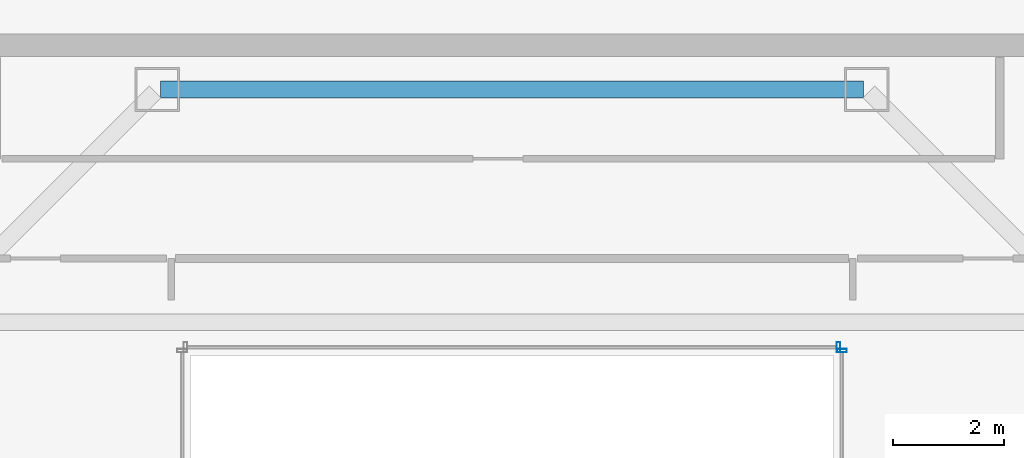
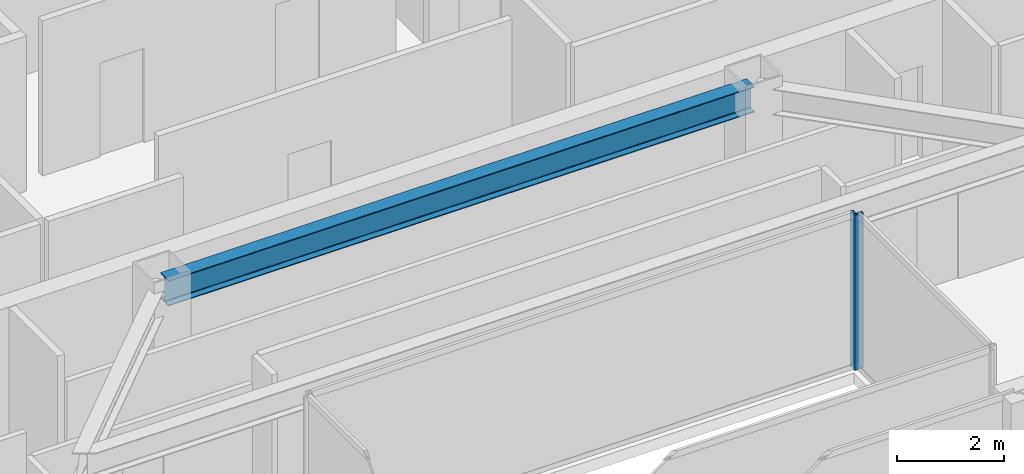
# One storey, part 11 of 32: 2 members, 1 beam, 2 elements without a shape of their own.
"""IFC4 building model written with IfcOpenShell, lengths in metres."""

from ifc_helpers import new_model, si_unit, direction, frame, origin, origin_2d, place, context, subcontext, project, spatial, hollow_rectangle, i_section, extrude, material, material_profile, profile_set, type_object, element, aggregate, save


model = new_model("IFC4")

# Units and contexts
model_context = context("Model", 3, precision=1e-05, world=origin(), true_north=direction((0.0, 1.0)))
body_context = subcontext(model_context, "Body", "Model", "MODEL_VIEW")
ifc_project = project(units=[si_unit("LENGTHUNIT", "METRE"), si_unit("AREAUNIT", "SQUARE_METRE"), si_unit("VOLUMEUNIT", "CUBIC_METRE"), si_unit("PLANEANGLEUNIT", "RADIAN"), si_unit("MASSUNIT", "GRAM", prefix="KILO")], contexts=[model_context])

# Site, building, storey
site_placement = place(None, origin())
site = spatial("IfcSite", under=ifc_project, at=site_placement, CompositionType="ELEMENT")
building_placement = place(site_placement, origin())
building = spatial("IfcBuilding", under=site, at=building_placement, Name="Saevonmaru Cultural Tower", CompositionType="ELEMENT")
storey_placement = place(building_placement, frame((0.0, 0.0, 242.0)))
storey = spatial("IfcBuildingStorey", under=building, at=storey_placement, Name="L56", CompositionType="ELEMENT", Elevation=242.0)

# Beam
ifc_material_1 = material(Name="Steel SM355", Category="steel")
ifc_material_profile_1 = material_profile(ifc_material_1, i_section(OverallWidth=0.300048828125, OverallDepth=0.587890625, WebThickness=0.011962890625, FlangeThickness=0.02001953125, FilletRadius=0.02392578125, at=origin_2d()), Name="H-588x300x12x20")
ifc_profile_set_1 = profile_set([ifc_material_profile_1], Name="Steel SM355")
beam_type = type_object("IfcBeamType", Name="BM-G-H588", PredefinedType="BEAM", material=ifc_profile_set_1)
beam_placement = place(storey_placement, frame((23.659912109375, 42.39990234375, 3.256103515625), z_axis=(1.0, 0.0, 0.0), x_axis=(0.0, 1.0, 0.0)))
element("IfcBeam", 1, at=beam_placement, inside=storey, type_object=beam_type, Name="L56 Core South Girder 3", PredefinedType="BEAM", context=body_context, shape_type="SweptSolid", body=[
    extrude(i_section(OverallWidth=0.300048828125, OverallDepth=0.587890625, WebThickness=0.011962890625, FlangeThickness=0.02001953125, FilletRadius=0.02392578125, at=origin_2d()), origin(), (0.0, 0.0, 1.0), 12.68017578125),
])

# Curtain wall, member
ifc_material_2 = material(Name="Satin Bronze Anodised Aluminium", Category="aluminium")
curtain_wall_type = type_object("IfcCurtainWallType", Name="CW-ATR-GLZ", PredefinedType="NOTDEFINED", material=ifc_material_2)
curtain_wall_1_placement = place(storey_placement, origin())
curtain_wall_1 = element("IfcCurtainWall", 2, at=curtain_wall_1_placement, inside=storey, type_object=curtain_wall_type, Name="L56 Vertical Atrium Glazed Smoke Screen 2", PredefinedType="NOTDEFINED")
ifc_material_profile_2 = material_profile(ifc_material_2, hollow_rectangle(XDim=0.06494140625, YDim=0.179931640625, WallThickness=0.00390625, at=origin_2d()), Name="ALU-MULL-180x65x4")
ifc_profile_set_2 = profile_set([ifc_material_profile_2], Name="Satin Bronze Anodised Aluminium")
member_type = type_object("IfcMemberType", Name="ML-CW-INT-180x65", PredefinedType="MULLION", material=ifc_profile_set_2)
member_1_placement = place(storey_placement, frame((35.949951171875, 37.68994140625, 0.0), z_axis=(0.0, 0.0, 1.0), x_axis=(0.0, 1.0, 0.0)))
member_1 = element("IfcMember", 3, at=member_1_placement, type_object=member_type, Name="CW-ATR-L56-2 mullion 2", PredefinedType="MULLION", context=body_context, shape_type="SweptSolid", body=[
    extrude(hollow_rectangle(XDim=0.06494140625, YDim=0.179931640625, WallThickness=0.00390625, at=origin_2d()), origin(), (0.0, 0.0, 1.0), 3.550048828125),
])
aggregate(curtain_wall_1, [member_1])

curtain_wall_2_placement = place(storey_placement, origin())
curtain_wall_2 = element("IfcCurtainWall", 4, at=curtain_wall_2_placement, inside=storey, type_object=curtain_wall_type, Name="L56 Vertical Atrium Glazed Smoke Screen 3", PredefinedType="NOTDEFINED")
member_2_placement = place(storey_placement, frame((35.889892578125, 37.75, 0.0), z_axis=(0.0, 0.0, 1.0), x_axis=(-1.0, 0.0, 0.0)))
member_2 = element("IfcMember", 5, at=member_2_placement, type_object=member_type, Name="CW-ATR-L56-3 mullion 1", PredefinedType="MULLION", context=body_context, shape_type="SweptSolid", body=[
    extrude(hollow_rectangle(XDim=0.06494140625, YDim=0.179931640625, WallThickness=0.00390625, at=origin_2d()), origin(), (0.0, 0.0, 1.0), 3.550048828125),
])
aggregate(curtain_wall_2, [member_2])

save(model, "model.ifc")
